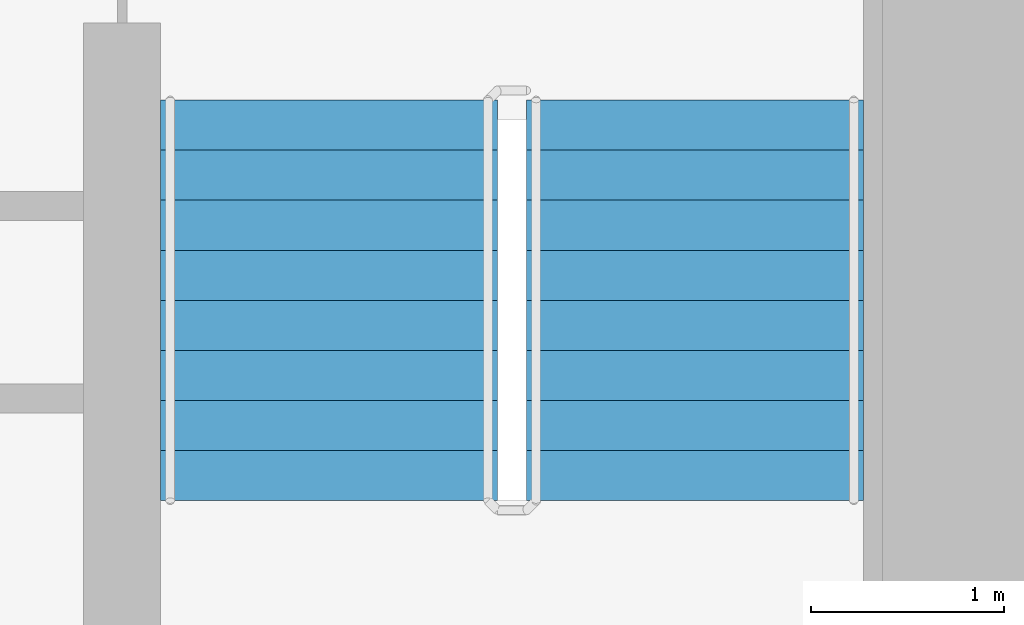
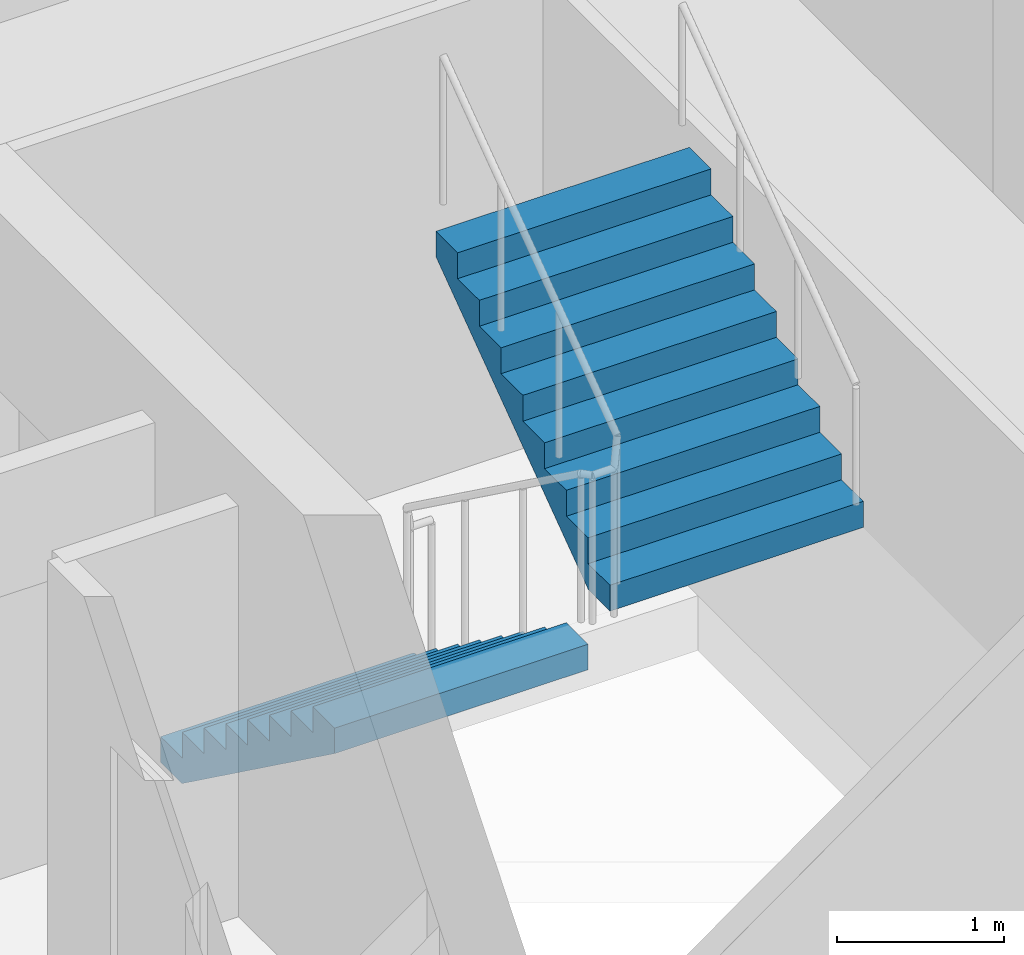
# One storey, part 20 of 25: 2 stair flights, 1 element without a shape of its own.
"""IFC4 building model written with IfcOpenShell, lengths in metres."""

from ifc_helpers import new_model, si_unit, direction, frame, origin, place, context, subcontext, project, spatial, faceted_brep, material, type_object, element, aggregate, save


model = new_model("IFC4")

# Units and contexts
model_context = context("Model", 3, precision=1e-05, world=origin(), true_north=direction((0.0, 1.0)))
body_context = subcontext(model_context, "Body", "Model", "MODEL_VIEW")
ifc_project = project(units=[si_unit("LENGTHUNIT", "METRE"), si_unit("AREAUNIT", "SQUARE_METRE"), si_unit("VOLUMEUNIT", "CUBIC_METRE"), si_unit("PLANEANGLEUNIT", "RADIAN"), si_unit("MASSUNIT", "GRAM", prefix="KILO")], contexts=[model_context])

# Site, building, storey
site_placement = place(None, origin())
site = spatial("IfcSite", under=ifc_project, at=site_placement, CompositionType="ELEMENT")
building_placement = place(site_placement, origin())
building = spatial("IfcBuilding", under=site, at=building_placement, Name="Ipe Terrace Towers", CompositionType="ELEMENT")
storey_placement = place(building_placement, frame((0.0, 0.0, 65.300048828125)))
storey = spatial("IfcBuildingStorey", under=building, at=storey_placement, Name="L17", CompositionType="ELEMENT", Elevation=65.300048828125)

# Stair, stair flights
ifc_material_1 = material(Name="Concrete C30/37", Category="concrete")
stair_type = type_object("IfcStairType", Name="Protected exit stair", PredefinedType="HALF_TURN_STAIR", material=ifc_material_1)
stair_placement = place(storey_placement, origin())
stair = element("IfcStair", 1, at=stair_placement, inside=storey, type_object=stair_type, Name="L17 Exit stair T2-C2", PredefinedType="HALF_TURN_STAIR")
ifc_material_2 = material(Name="Concrete C30/37", Category="concrete")
stair_flight_type = type_object("IfcStairFlightType", Name="Exit stair flight 1750", PredefinedType="STRAIGHT", material=ifc_material_2)
stair_flight_1_placement = place(storey_placement, frame((38.77490234375, -9.699951171875, 0.0), z_axis=(0.0, 0.0, 1.0), x_axis=(0.0, -1.0, 0.0)))
stair_flight_1 = element("IfcStairFlight", 2, at=stair_flight_1_placement, type_object=stair_flight_type, Name="T2-ST2 flight 1", NumberOfRisers=9, NumberOfTreads=8, PredefinedType="STRAIGHT", RiserHeight=0.188888889, TreadLength=0.26, context=body_context, shape_type="Brep", body=[
    faceted_brep([(0.255126953125, -0.875, 0.0), (2.080078125, -0.875, 1.325927734375), (2.080078125, -0.875, 1.51123046875), (1.820068359375, -0.875, 1.51123046875), (1.820068359375, -0.875, 1.322265625), (1.56005859375, -0.875, 1.322265625), (1.56005859375, -0.875, 1.13330078125), (1.300048828125, -0.875, 1.13330078125), (1.300048828125, -0.875, 0.9443359375), (1.0400390625, -0.875, 0.9443359375), (1.0400390625, -0.875, 0.755615234375), (0.780029296875, -0.875, 0.755615234375), (0.780029296875, -0.875, 0.566650390625), (0.52001953125, -0.875, 0.566650390625), (0.52001953125, -0.875, 0.377685546875), (0.260009765625, -0.875, 0.377685546875), (0.260009765625, -0.875, 0.18896484375), (0.0, -0.875, 0.18896484375), (0.0, -0.875, 0.0), (0.0, 0.875, 0.0), (0.0, 0.875, 0.18896484375), (0.260009765625, 0.875, 0.18896484375), (0.260009765625, 0.875, 0.377685546875), (0.52001953125, 0.875, 0.377685546875), (0.52001953125, 0.875, 0.566650390625), (0.780029296875, 0.875, 0.566650390625), (0.780029296875, 0.875, 0.755615234375), (1.0400390625, 0.875, 0.755615234375), (1.0400390625, 0.875, 0.9443359375), (1.300048828125, 0.875, 0.9443359375), (1.300048828125, 0.875, 1.13330078125), (1.56005859375, 0.875, 1.13330078125), (1.56005859375, 0.875, 1.322265625), (1.820068359375, 0.875, 1.322265625), (1.820068359375, 0.875, 1.51123046875), (2.080078125, 0.875, 1.51123046875), (2.080078125, 0.875, 1.325927734375), (0.255126953125, 0.875, 0.0), (0.0, -0.300048828125, 0.18896484375), (0.0, -0.1201171875, 0.18896484375), (0.0, -0.06005859375, 0.18896484375), (0.0, -0.030029296875, 0.18896484375), (0.0, -0.010009765625, 0.18896484375), (0.0, 0.0, 0.18896484375), (0.0, 0.010009765625, 0.18896484375), (0.0, 0.030029296875, 0.18896484375), (0.0, 0.06005859375, 0.18896484375), (0.0, 0.1201171875, 0.18896484375), (0.0, 0.300048828125, 0.18896484375), (0.0, 0.300048828125, 0.0), (0.0, 0.1201171875, 0.0), (0.0, 0.06005859375, 0.0), (0.0, 0.030029296875, 0.0), (0.0, 0.010009765625, 0.0), (0.0, 0.0, 0.0), (0.0, -0.010009765625, 0.0), (0.0, -0.030029296875, 0.0), (0.0, -0.06005859375, 0.0), (0.0, -0.1201171875, 0.0), (0.0, -0.300048828125, 0.0), (0.260009765625, -0.300048828125, 0.18896484375), (0.260009765625, -0.1201171875, 0.18896484375), (0.260009765625, -0.06005859375, 0.18896484375), (0.260009765625, -0.030029296875, 0.18896484375), (0.260009765625, -0.010009765625, 0.18896484375), (0.260009765625, 0.0, 0.18896484375), (0.260009765625, 0.010009765625, 0.18896484375), (0.260009765625, 0.030029296875, 0.18896484375), (0.260009765625, 0.06005859375, 0.18896484375), (0.260009765625, 0.1201171875, 0.18896484375), (0.260009765625, 0.300048828125, 0.18896484375), (0.260009765625, -0.300048828125, 0.377685546875), (0.260009765625, -0.1201171875, 0.377685546875), (0.260009765625, -0.06005859375, 0.377685546875), (0.260009765625, -0.030029296875, 0.377685546875), (0.260009765625, -0.010009765625, 0.377685546875), (0.260009765625, 0.0, 0.377685546875), (0.260009765625, 0.010009765625, 0.377685546875), (0.260009765625, 0.030029296875, 0.377685546875), (0.260009765625, 0.06005859375, 0.377685546875), (0.260009765625, 0.1201171875, 0.377685546875), (0.260009765625, 0.300048828125, 0.377685546875), (0.52001953125, -0.300048828125, 0.377685546875), (0.52001953125, -0.1201171875, 0.377685546875), (0.52001953125, -0.06005859375, 0.377685546875), (0.52001953125, -0.030029296875, 0.377685546875), (0.52001953125, -0.010009765625, 0.377685546875), (0.52001953125, 0.0, 0.377685546875), (0.52001953125, 0.010009765625, 0.377685546875), (0.52001953125, 0.030029296875, 0.377685546875), (0.52001953125, 0.06005859375, 0.377685546875), (0.52001953125, 0.1201171875, 0.377685546875), (0.52001953125, 0.300048828125, 0.377685546875), (0.52001953125, -0.300048828125, 0.566650390625), (0.52001953125, -0.1201171875, 0.566650390625), (0.52001953125, -0.06005859375, 0.566650390625), (0.52001953125, -0.030029296875, 0.566650390625), (0.52001953125, -0.010009765625, 0.566650390625), (0.52001953125, 0.0, 0.566650390625), (0.52001953125, 0.010009765625, 0.566650390625), (0.52001953125, 0.030029296875, 0.566650390625), (0.52001953125, 0.06005859375, 0.566650390625), (0.52001953125, 0.1201171875, 0.566650390625), (0.52001953125, 0.300048828125, 0.566650390625), (0.780029296875, -0.300048828125, 0.566650390625), (0.780029296875, -0.1201171875, 0.566650390625), (0.780029296875, -0.06005859375, 0.566650390625), (0.780029296875, -0.030029296875, 0.566650390625), (0.780029296875, -0.010009765625, 0.566650390625), (0.780029296875, 0.0, 0.566650390625), (0.780029296875, 0.010009765625, 0.566650390625), (0.780029296875, 0.030029296875, 0.566650390625), (0.780029296875, 0.06005859375, 0.566650390625), (0.780029296875, 0.1201171875, 0.566650390625), (0.780029296875, 0.300048828125, 0.566650390625), (0.780029296875, -0.300048828125, 0.755615234375), (0.780029296875, -0.1201171875, 0.755615234375), (0.780029296875, -0.06005859375, 0.755615234375), (0.780029296875, -0.030029296875, 0.755615234375), (0.780029296875, -0.010009765625, 0.755615234375), (0.780029296875, 0.0, 0.755615234375), (0.780029296875, 0.010009765625, 0.755615234375), (0.780029296875, 0.030029296875, 0.755615234375), (0.780029296875, 0.06005859375, 0.755615234375), (0.780029296875, 0.1201171875, 0.755615234375), (0.780029296875, 0.300048828125, 0.755615234375), (1.0400390625, -0.300048828125, 0.755615234375), (1.0400390625, -0.1201171875, 0.755615234375), (1.0400390625, -0.06005859375, 0.755615234375), (1.0400390625, -0.030029296875, 0.755615234375), (1.0400390625, -0.010009765625, 0.755615234375), (1.0400390625, 0.0, 0.755615234375), (1.0400390625, 0.010009765625, 0.755615234375), (1.0400390625, 0.030029296875, 0.755615234375), (1.0400390625, 0.06005859375, 0.755615234375), (1.0400390625, 0.1201171875, 0.755615234375), (1.0400390625, 0.300048828125, 0.755615234375), (1.0400390625, -0.300048828125, 0.9443359375), (1.0400390625, -0.1201171875, 0.9443359375), (1.0400390625, -0.06005859375, 0.9443359375), (1.0400390625, -0.030029296875, 0.9443359375), (1.0400390625, -0.010009765625, 0.9443359375), (1.0400390625, 0.0, 0.9443359375), (1.0400390625, 0.010009765625, 0.9443359375), (1.0400390625, 0.030029296875, 0.9443359375), (1.0400390625, 0.06005859375, 0.9443359375), (1.0400390625, 0.1201171875, 0.9443359375), (1.0400390625, 0.300048828125, 0.9443359375), (1.300048828125, -0.300048828125, 0.9443359375), (1.300048828125, -0.1201171875, 0.9443359375), (1.300048828125, -0.06005859375, 0.9443359375), (1.300048828125, -0.030029296875, 0.9443359375), (1.300048828125, -0.010009765625, 0.9443359375), (1.300048828125, 0.0, 0.9443359375), (1.300048828125, 0.010009765625, 0.9443359375), (1.300048828125, 0.030029296875, 0.9443359375), (1.300048828125, 0.06005859375, 0.9443359375), (1.300048828125, 0.1201171875, 0.9443359375), (1.300048828125, 0.300048828125, 0.9443359375), (1.300048828125, -0.300048828125, 1.13330078125), (1.300048828125, -0.1201171875, 1.13330078125), (1.300048828125, -0.06005859375, 1.13330078125), (1.300048828125, -0.030029296875, 1.13330078125), (1.300048828125, -0.010009765625, 1.13330078125), (1.300048828125, 0.0, 1.13330078125), (1.300048828125, 0.010009765625, 1.13330078125), (1.300048828125, 0.030029296875, 1.13330078125), (1.300048828125, 0.06005859375, 1.13330078125), (1.300048828125, 0.1201171875, 1.13330078125), (1.300048828125, 0.300048828125, 1.13330078125), (1.56005859375, -0.300048828125, 1.13330078125), (1.56005859375, -0.1201171875, 1.13330078125), (1.56005859375, -0.06005859375, 1.13330078125), (1.56005859375, -0.030029296875, 1.13330078125), (1.56005859375, -0.010009765625, 1.13330078125), (1.56005859375, 0.0, 1.13330078125), (1.56005859375, 0.010009765625, 1.13330078125), (1.56005859375, 0.030029296875, 1.13330078125), (1.56005859375, 0.06005859375, 1.13330078125), (1.56005859375, 0.1201171875, 1.13330078125), (1.56005859375, 0.300048828125, 1.13330078125), (1.56005859375, -0.300048828125, 1.322265625), (1.56005859375, -0.1201171875, 1.322265625), (1.56005859375, -0.06005859375, 1.322265625), (1.56005859375, -0.030029296875, 1.322265625), (1.56005859375, -0.010009765625, 1.322265625), (1.56005859375, 0.0, 1.322265625), (1.56005859375, 0.010009765625, 1.322265625), (1.56005859375, 0.030029296875, 1.322265625), (1.56005859375, 0.06005859375, 1.322265625), (1.56005859375, 0.1201171875, 1.322265625), (1.56005859375, 0.300048828125, 1.322265625), (1.820068359375, -0.300048828125, 1.322265625), (1.820068359375, -0.1201171875, 1.322265625), (1.820068359375, -0.06005859375, 1.322265625), (1.820068359375, -0.030029296875, 1.322265625), (1.820068359375, -0.010009765625, 1.322265625), (1.820068359375, 0.0, 1.322265625), (1.820068359375, 0.010009765625, 1.322265625), (1.820068359375, 0.030029296875, 1.322265625), (1.820068359375, 0.06005859375, 1.322265625), (1.820068359375, 0.1201171875, 1.322265625), (1.820068359375, 0.300048828125, 1.322265625), (1.820068359375, -0.300048828125, 1.51123046875), (1.820068359375, -0.1201171875, 1.51123046875), (1.820068359375, -0.06005859375, 1.51123046875), (1.820068359375, -0.030029296875, 1.51123046875), (1.820068359375, -0.010009765625, 1.51123046875), (1.820068359375, 0.0, 1.51123046875), (1.820068359375, 0.010009765625, 1.51123046875), (1.820068359375, 0.030029296875, 1.51123046875), (1.820068359375, 0.06005859375, 1.51123046875), (1.820068359375, 0.1201171875, 1.51123046875), (1.820068359375, 0.300048828125, 1.51123046875), (2.080078125, -0.300048828125, 1.51123046875), (2.080078125, -0.1201171875, 1.51123046875), (2.080078125, -0.06005859375, 1.51123046875), (2.080078125, -0.030029296875, 1.51123046875), (2.080078125, -0.010009765625, 1.51123046875), (2.080078125, 0.0, 1.51123046875), (2.080078125, 0.010009765625, 1.51123046875), (2.080078125, 0.030029296875, 1.51123046875), (2.080078125, 0.06005859375, 1.51123046875), (2.080078125, 0.1201171875, 1.51123046875), (2.080078125, 0.300048828125, 1.51123046875), (2.080078125, -0.300048828125, 1.325927734375), (2.080078125, -0.1201171875, 1.325927734375), (2.080078125, -0.06005859375, 1.325927734375), (2.080078125, -0.030029296875, 1.325927734375), (2.080078125, -0.010009765625, 1.325927734375), (2.080078125, 0.0, 1.325927734375), (2.080078125, 0.010009765625, 1.325927734375), (2.080078125, 0.030029296875, 1.325927734375), (2.080078125, 0.06005859375, 1.325927734375), (2.080078125, 0.1201171875, 1.325927734375), (2.080078125, 0.300048828125, 1.325927734375), (0.255126953125, -0.300048828125, 0.0), (0.255126953125, -0.1201171875, 0.0), (0.255126953125, -0.06005859375, 0.0), (0.255126953125, -0.030029296875, 0.0), (0.255126953125, -0.010009765625, 0.0), (0.255126953125, 0.0, 0.0), (0.255126953125, 0.010009765625, 0.0), (0.255126953125, 0.030029296875, 0.0), (0.255126953125, 0.06005859375, 0.0), (0.255126953125, 0.1201171875, 0.0), (0.255126953125, 0.300048828125, 0.0)], [[[0, 1, 2, 3, 4, 5, 6, 7, 8, 9, 10, 11, 12, 13, 14, 15, 16, 17, 18]], [[19, 20, 21, 22, 23, 24, 25, 26, 27, 28, 29, 30, 31, 32, 33, 34, 35, 36, 37]], [[17, 38, 39, 40, 41, 42, 43, 44, 45, 46, 47, 48, 20, 19, 49, 50, 51, 52, 53, 54, 55, 56, 57, 58, 59, 18]], [[16, 60, 61, 62, 63, 64, 65, 66, 67, 68, 69, 70, 21, 20, 48, 47, 46, 45, 44, 43, 42, 41, 40, 39, 38, 17]], [[15, 71, 72, 73, 74, 75, 76, 77, 78, 79, 80, 81, 22, 21, 70, 69, 68, 67, 66, 65, 64, 63, 62, 61, 60, 16]], [[14, 82, 83, 84, 85, 86, 87, 88, 89, 90, 91, 92, 23, 22, 81, 80, 79, 78, 77, 76, 75, 74, 73, 72, 71, 15]], [[13, 93, 94, 95, 96, 97, 98, 99, 100, 101, 102, 103, 24, 23, 92, 91, 90, 89, 88, 87, 86, 85, 84, 83, 82, 14]], [[12, 104, 105, 106, 107, 108, 109, 110, 111, 112, 113, 114, 25, 24, 103, 102, 101, 100, 99, 98, 97, 96, 95, 94, 93, 13]], [[11, 115, 116, 117, 118, 119, 120, 121, 122, 123, 124, 125, 26, 25, 114, 113, 112, 111, 110, 109, 108, 107, 106, 105, 104, 12]], [[10, 126, 127, 128, 129, 130, 131, 132, 133, 134, 135, 136, 27, 26, 125, 124, 123, 122, 121, 120, 119, 118, 117, 116, 115, 11]], [[9, 137, 138, 139, 140, 141, 142, 143, 144, 145, 146, 147, 28, 27, 136, 135, 134, 133, 132, 131, 130, 129, 128, 127, 126, 10]], [[8, 148, 149, 150, 151, 152, 153, 154, 155, 156, 157, 158, 29, 28, 147, 146, 145, 144, 143, 142, 141, 140, 139, 138, 137, 9]], [[7, 159, 160, 161, 162, 163, 164, 165, 166, 167, 168, 169, 30, 29, 158, 157, 156, 155, 154, 153, 152, 151, 150, 149, 148, 8]], [[6, 170, 171, 172, 173, 174, 175, 176, 177, 178, 179, 180, 31, 30, 169, 168, 167, 166, 165, 164, 163, 162, 161, 160, 159, 7]], [[5, 181, 182, 183, 184, 185, 186, 187, 188, 189, 190, 191, 32, 31, 180, 179, 178, 177, 176, 175, 174, 173, 172, 171, 170, 6]], [[4, 192, 193, 194, 195, 196, 197, 198, 199, 200, 201, 202, 33, 32, 191, 190, 189, 188, 187, 186, 185, 184, 183, 182, 181, 5]], [[3, 203, 204, 205, 206, 207, 208, 209, 210, 211, 212, 213, 34, 33, 202, 201, 200, 199, 198, 197, 196, 195, 194, 193, 192, 4]], [[2, 214, 215, 216, 217, 218, 219, 220, 221, 222, 223, 224, 35, 34, 213, 212, 211, 210, 209, 208, 207, 206, 205, 204, 203, 3]], [[1, 225, 226, 227, 228, 229, 230, 231, 232, 233, 234, 235, 36, 35, 224, 223, 222, 221, 220, 219, 218, 217, 216, 215, 214, 2]], [[0, 236, 237, 238, 239, 240, 241, 242, 243, 244, 245, 246, 37, 36, 235, 234, 233, 232, 231, 230, 229, 228, 227, 226, 225, 1]], [[18, 59, 58, 57, 56, 55, 54, 53, 52, 51, 50, 49, 19, 37, 246, 245, 244, 243, 242, 241, 240, 239, 238, 237, 236, 0]]]),
])
stair_flight_2_placement = place(storey_placement, frame((40.675048828125, -11.780029296875, 1.699951171875), z_axis=(0.0, 0.0, 1.0), x_axis=(0.0, 1.0, 0.0)))
stair_flight_2 = element("IfcStairFlight", 3, at=stair_flight_2_placement, type_object=stair_flight_type, Name="T2-ST2 flight 2", NumberOfRisers=9, NumberOfTreads=8, PredefinedType="STRAIGHT", RiserHeight=0.188888889, TreadLength=0.26, context=body_context, shape_type="Brep", body=[
    faceted_brep([(0.255126953125, -0.875, 0.0), (2.080078125, -0.875, 1.325927734375), (2.080078125, -0.875, 1.51123046875), (1.820068359375, -0.875, 1.51123046875), (1.820068359375, -0.875, 1.322265625), (1.56005859375, -0.875, 1.322265625), (1.56005859375, -0.875, 1.13330078125), (1.300048828125, -0.875, 1.13330078125), (1.300048828125, -0.875, 0.9443359375), (1.0400390625, -0.875, 0.9443359375), (1.0400390625, -0.875, 0.755615234375), (0.780029296875, -0.875, 0.755615234375), (0.780029296875, -0.875, 0.566650390625), (0.52001953125, -0.875, 0.566650390625), (0.52001953125, -0.875, 0.377685546875), (0.260009765625, -0.875, 0.377685546875), (0.260009765625, -0.875, 0.18896484375), (0.0, -0.875, 0.18896484375), (0.0, -0.875, 0.0), (0.0, 0.875, 0.0), (0.0, 0.875, 0.18896484375), (0.260009765625, 0.875, 0.18896484375), (0.260009765625, 0.875, 0.377685546875), (0.52001953125, 0.875, 0.377685546875), (0.52001953125, 0.875, 0.566650390625), (0.780029296875, 0.875, 0.566650390625), (0.780029296875, 0.875, 0.755615234375), (1.0400390625, 0.875, 0.755615234375), (1.0400390625, 0.875, 0.9443359375), (1.300048828125, 0.875, 0.9443359375), (1.300048828125, 0.875, 1.13330078125), (1.56005859375, 0.875, 1.13330078125), (1.56005859375, 0.875, 1.322265625), (1.820068359375, 0.875, 1.322265625), (1.820068359375, 0.875, 1.51123046875), (2.080078125, 0.875, 1.51123046875), (2.080078125, 0.875, 1.325927734375), (0.255126953125, 0.875, 0.0), (0.0, -0.300048828125, 0.18896484375), (0.0, -0.1201171875, 0.18896484375), (0.0, -0.06005859375, 0.18896484375), (0.0, -0.030029296875, 0.18896484375), (0.0, -0.010009765625, 0.18896484375), (0.0, 0.0, 0.18896484375), (0.0, 0.010009765625, 0.18896484375), (0.0, 0.030029296875, 0.18896484375), (0.0, 0.06005859375, 0.18896484375), (0.0, 0.1201171875, 0.18896484375), (0.0, 0.300048828125, 0.18896484375), (0.0, 0.300048828125, 0.0), (0.0, 0.1201171875, 0.0), (0.0, 0.06005859375, 0.0), (0.0, 0.030029296875, 0.0), (0.0, 0.010009765625, 0.0), (0.0, 0.0, 0.0), (0.0, -0.010009765625, 0.0), (0.0, -0.030029296875, 0.0), (0.0, -0.06005859375, 0.0), (0.0, -0.1201171875, 0.0), (0.0, -0.300048828125, 0.0), (0.260009765625, -0.300048828125, 0.18896484375), (0.260009765625, -0.1201171875, 0.18896484375), (0.260009765625, -0.06005859375, 0.18896484375), (0.260009765625, -0.030029296875, 0.18896484375), (0.260009765625, -0.010009765625, 0.18896484375), (0.260009765625, 0.0, 0.18896484375), (0.260009765625, 0.010009765625, 0.18896484375), (0.260009765625, 0.030029296875, 0.18896484375), (0.260009765625, 0.06005859375, 0.18896484375), (0.260009765625, 0.1201171875, 0.18896484375), (0.260009765625, 0.300048828125, 0.18896484375), (0.260009765625, -0.300048828125, 0.377685546875), (0.260009765625, -0.1201171875, 0.377685546875), (0.260009765625, -0.06005859375, 0.377685546875), (0.260009765625, -0.030029296875, 0.377685546875), (0.260009765625, -0.010009765625, 0.377685546875), (0.260009765625, 0.0, 0.377685546875), (0.260009765625, 0.010009765625, 0.377685546875), (0.260009765625, 0.030029296875, 0.377685546875), (0.260009765625, 0.06005859375, 0.377685546875), (0.260009765625, 0.1201171875, 0.377685546875), (0.260009765625, 0.300048828125, 0.377685546875), (0.52001953125, -0.300048828125, 0.377685546875), (0.52001953125, -0.1201171875, 0.377685546875), (0.52001953125, -0.06005859375, 0.377685546875), (0.52001953125, -0.030029296875, 0.377685546875), (0.52001953125, -0.010009765625, 0.377685546875), (0.52001953125, 0.0, 0.377685546875), (0.52001953125, 0.010009765625, 0.377685546875), (0.52001953125, 0.030029296875, 0.377685546875), (0.52001953125, 0.06005859375, 0.377685546875), (0.52001953125, 0.1201171875, 0.377685546875), (0.52001953125, 0.300048828125, 0.377685546875), (0.52001953125, -0.300048828125, 0.566650390625), (0.52001953125, -0.1201171875, 0.566650390625), (0.52001953125, -0.06005859375, 0.566650390625), (0.52001953125, -0.030029296875, 0.566650390625), (0.52001953125, -0.010009765625, 0.566650390625), (0.52001953125, 0.0, 0.566650390625), (0.52001953125, 0.010009765625, 0.566650390625), (0.52001953125, 0.030029296875, 0.566650390625), (0.52001953125, 0.06005859375, 0.566650390625), (0.52001953125, 0.1201171875, 0.566650390625), (0.52001953125, 0.300048828125, 0.566650390625), (0.780029296875, -0.300048828125, 0.566650390625), (0.780029296875, -0.1201171875, 0.566650390625), (0.780029296875, -0.06005859375, 0.566650390625), (0.780029296875, -0.030029296875, 0.566650390625), (0.780029296875, -0.010009765625, 0.566650390625), (0.780029296875, 0.0, 0.566650390625), (0.780029296875, 0.010009765625, 0.566650390625), (0.780029296875, 0.030029296875, 0.566650390625), (0.780029296875, 0.06005859375, 0.566650390625), (0.780029296875, 0.1201171875, 0.566650390625), (0.780029296875, 0.300048828125, 0.566650390625), (0.780029296875, -0.300048828125, 0.755615234375), (0.780029296875, -0.1201171875, 0.755615234375), (0.780029296875, -0.06005859375, 0.755615234375), (0.780029296875, -0.030029296875, 0.755615234375), (0.780029296875, -0.010009765625, 0.755615234375), (0.780029296875, 0.0, 0.755615234375), (0.780029296875, 0.010009765625, 0.755615234375), (0.780029296875, 0.030029296875, 0.755615234375), (0.780029296875, 0.06005859375, 0.755615234375), (0.780029296875, 0.1201171875, 0.755615234375), (0.780029296875, 0.300048828125, 0.755615234375), (1.0400390625, -0.300048828125, 0.755615234375), (1.0400390625, -0.1201171875, 0.755615234375), (1.0400390625, -0.06005859375, 0.755615234375), (1.0400390625, -0.030029296875, 0.755615234375), (1.0400390625, -0.010009765625, 0.755615234375), (1.0400390625, 0.0, 0.755615234375), (1.0400390625, 0.010009765625, 0.755615234375), (1.0400390625, 0.030029296875, 0.755615234375), (1.0400390625, 0.06005859375, 0.755615234375), (1.0400390625, 0.1201171875, 0.755615234375), (1.0400390625, 0.300048828125, 0.755615234375), (1.0400390625, -0.300048828125, 0.9443359375), (1.0400390625, -0.1201171875, 0.9443359375), (1.0400390625, -0.06005859375, 0.9443359375), (1.0400390625, -0.030029296875, 0.9443359375), (1.0400390625, -0.010009765625, 0.9443359375), (1.0400390625, 0.0, 0.9443359375), (1.0400390625, 0.010009765625, 0.9443359375), (1.0400390625, 0.030029296875, 0.9443359375), (1.0400390625, 0.06005859375, 0.9443359375), (1.0400390625, 0.1201171875, 0.9443359375), (1.0400390625, 0.300048828125, 0.9443359375), (1.300048828125, -0.300048828125, 0.9443359375), (1.300048828125, -0.1201171875, 0.9443359375), (1.300048828125, -0.06005859375, 0.9443359375), (1.300048828125, -0.030029296875, 0.9443359375), (1.300048828125, -0.010009765625, 0.9443359375), (1.300048828125, 0.0, 0.9443359375), (1.300048828125, 0.010009765625, 0.9443359375), (1.300048828125, 0.030029296875, 0.9443359375), (1.300048828125, 0.06005859375, 0.9443359375), (1.300048828125, 0.1201171875, 0.9443359375), (1.300048828125, 0.300048828125, 0.9443359375), (1.300048828125, -0.300048828125, 1.13330078125), (1.300048828125, -0.1201171875, 1.13330078125), (1.300048828125, -0.06005859375, 1.13330078125), (1.300048828125, -0.030029296875, 1.13330078125), (1.300048828125, -0.010009765625, 1.13330078125), (1.300048828125, 0.0, 1.13330078125), (1.300048828125, 0.010009765625, 1.13330078125), (1.300048828125, 0.030029296875, 1.13330078125), (1.300048828125, 0.06005859375, 1.13330078125), (1.300048828125, 0.1201171875, 1.13330078125), (1.300048828125, 0.300048828125, 1.13330078125), (1.56005859375, -0.300048828125, 1.13330078125), (1.56005859375, -0.1201171875, 1.13330078125), (1.56005859375, -0.06005859375, 1.13330078125), (1.56005859375, -0.030029296875, 1.13330078125), (1.56005859375, -0.010009765625, 1.13330078125), (1.56005859375, 0.0, 1.13330078125), (1.56005859375, 0.010009765625, 1.13330078125), (1.56005859375, 0.030029296875, 1.13330078125), (1.56005859375, 0.06005859375, 1.13330078125), (1.56005859375, 0.1201171875, 1.13330078125), (1.56005859375, 0.300048828125, 1.13330078125), (1.56005859375, -0.300048828125, 1.322265625), (1.56005859375, -0.1201171875, 1.322265625), (1.56005859375, -0.06005859375, 1.322265625), (1.56005859375, -0.030029296875, 1.322265625), (1.56005859375, -0.010009765625, 1.322265625), (1.56005859375, 0.0, 1.322265625), (1.56005859375, 0.010009765625, 1.322265625), (1.56005859375, 0.030029296875, 1.322265625), (1.56005859375, 0.06005859375, 1.322265625), (1.56005859375, 0.1201171875, 1.322265625), (1.56005859375, 0.300048828125, 1.322265625), (1.820068359375, -0.300048828125, 1.322265625), (1.820068359375, -0.1201171875, 1.322265625), (1.820068359375, -0.06005859375, 1.322265625), (1.820068359375, -0.030029296875, 1.322265625), (1.820068359375, -0.010009765625, 1.322265625), (1.820068359375, 0.0, 1.322265625), (1.820068359375, 0.010009765625, 1.322265625), (1.820068359375, 0.030029296875, 1.322265625), (1.820068359375, 0.06005859375, 1.322265625), (1.820068359375, 0.1201171875, 1.322265625), (1.820068359375, 0.300048828125, 1.322265625), (1.820068359375, -0.300048828125, 1.51123046875), (1.820068359375, -0.1201171875, 1.51123046875), (1.820068359375, -0.06005859375, 1.51123046875), (1.820068359375, -0.030029296875, 1.51123046875), (1.820068359375, -0.010009765625, 1.51123046875), (1.820068359375, 0.0, 1.51123046875), (1.820068359375, 0.010009765625, 1.51123046875), (1.820068359375, 0.030029296875, 1.51123046875), (1.820068359375, 0.06005859375, 1.51123046875), (1.820068359375, 0.1201171875, 1.51123046875), (1.820068359375, 0.300048828125, 1.51123046875), (2.080078125, -0.300048828125, 1.51123046875), (2.080078125, -0.1201171875, 1.51123046875), (2.080078125, -0.06005859375, 1.51123046875), (2.080078125, -0.030029296875, 1.51123046875), (2.080078125, -0.010009765625, 1.51123046875), (2.080078125, 0.0, 1.51123046875), (2.080078125, 0.010009765625, 1.51123046875), (2.080078125, 0.030029296875, 1.51123046875), (2.080078125, 0.06005859375, 1.51123046875), (2.080078125, 0.1201171875, 1.51123046875), (2.080078125, 0.300048828125, 1.51123046875), (2.080078125, -0.300048828125, 1.325927734375), (2.080078125, -0.1201171875, 1.325927734375), (2.080078125, -0.06005859375, 1.325927734375), (2.080078125, -0.030029296875, 1.325927734375), (2.080078125, -0.010009765625, 1.325927734375), (2.080078125, 0.0, 1.325927734375), (2.080078125, 0.010009765625, 1.325927734375), (2.080078125, 0.030029296875, 1.325927734375), (2.080078125, 0.06005859375, 1.325927734375), (2.080078125, 0.1201171875, 1.325927734375), (2.080078125, 0.300048828125, 1.325927734375), (0.255126953125, -0.300048828125, 0.0), (0.255126953125, -0.1201171875, 0.0), (0.255126953125, -0.06005859375, 0.0), (0.255126953125, -0.030029296875, 0.0), (0.255126953125, -0.010009765625, 0.0), (0.255126953125, 0.0, 0.0), (0.255126953125, 0.010009765625, 0.0), (0.255126953125, 0.030029296875, 0.0), (0.255126953125, 0.06005859375, 0.0), (0.255126953125, 0.1201171875, 0.0), (0.255126953125, 0.300048828125, 0.0)], [[[0, 1, 2, 3, 4, 5, 6, 7, 8, 9, 10, 11, 12, 13, 14, 15, 16, 17, 18]], [[19, 20, 21, 22, 23, 24, 25, 26, 27, 28, 29, 30, 31, 32, 33, 34, 35, 36, 37]], [[17, 38, 39, 40, 41, 42, 43, 44, 45, 46, 47, 48, 20, 19, 49, 50, 51, 52, 53, 54, 55, 56, 57, 58, 59, 18]], [[16, 60, 61, 62, 63, 64, 65, 66, 67, 68, 69, 70, 21, 20, 48, 47, 46, 45, 44, 43, 42, 41, 40, 39, 38, 17]], [[15, 71, 72, 73, 74, 75, 76, 77, 78, 79, 80, 81, 22, 21, 70, 69, 68, 67, 66, 65, 64, 63, 62, 61, 60, 16]], [[14, 82, 83, 84, 85, 86, 87, 88, 89, 90, 91, 92, 23, 22, 81, 80, 79, 78, 77, 76, 75, 74, 73, 72, 71, 15]], [[13, 93, 94, 95, 96, 97, 98, 99, 100, 101, 102, 103, 24, 23, 92, 91, 90, 89, 88, 87, 86, 85, 84, 83, 82, 14]], [[12, 104, 105, 106, 107, 108, 109, 110, 111, 112, 113, 114, 25, 24, 103, 102, 101, 100, 99, 98, 97, 96, 95, 94, 93, 13]], [[11, 115, 116, 117, 118, 119, 120, 121, 122, 123, 124, 125, 26, 25, 114, 113, 112, 111, 110, 109, 108, 107, 106, 105, 104, 12]], [[10, 126, 127, 128, 129, 130, 131, 132, 133, 134, 135, 136, 27, 26, 125, 124, 123, 122, 121, 120, 119, 118, 117, 116, 115, 11]], [[9, 137, 138, 139, 140, 141, 142, 143, 144, 145, 146, 147, 28, 27, 136, 135, 134, 133, 132, 131, 130, 129, 128, 127, 126, 10]], [[8, 148, 149, 150, 151, 152, 153, 154, 155, 156, 157, 158, 29, 28, 147, 146, 145, 144, 143, 142, 141, 140, 139, 138, 137, 9]], [[7, 159, 160, 161, 162, 163, 164, 165, 166, 167, 168, 169, 30, 29, 158, 157, 156, 155, 154, 153, 152, 151, 150, 149, 148, 8]], [[6, 170, 171, 172, 173, 174, 175, 176, 177, 178, 179, 180, 31, 30, 169, 168, 167, 166, 165, 164, 163, 162, 161, 160, 159, 7]], [[5, 181, 182, 183, 184, 185, 186, 187, 188, 189, 190, 191, 32, 31, 180, 179, 178, 177, 176, 175, 174, 173, 172, 171, 170, 6]], [[4, 192, 193, 194, 195, 196, 197, 198, 199, 200, 201, 202, 33, 32, 191, 190, 189, 188, 187, 186, 185, 184, 183, 182, 181, 5]], [[3, 203, 204, 205, 206, 207, 208, 209, 210, 211, 212, 213, 34, 33, 202, 201, 200, 199, 198, 197, 196, 195, 194, 193, 192, 4]], [[2, 214, 215, 216, 217, 218, 219, 220, 221, 222, 223, 224, 35, 34, 213, 212, 211, 210, 209, 208, 207, 206, 205, 204, 203, 3]], [[1, 225, 226, 227, 228, 229, 230, 231, 232, 233, 234, 235, 36, 35, 224, 223, 222, 221, 220, 219, 218, 217, 216, 215, 214, 2]], [[0, 236, 237, 238, 239, 240, 241, 242, 243, 244, 245, 246, 37, 36, 235, 234, 233, 232, 231, 230, 229, 228, 227, 226, 225, 1]], [[18, 59, 58, 57, 56, 55, 54, 53, 52, 51, 50, 49, 19, 37, 246, 245, 244, 243, 242, 241, 240, 239, 238, 237, 236, 0]]]),
])
aggregate(stair, [stair_flight_1, stair_flight_2])

save(model, "model.ifc")
